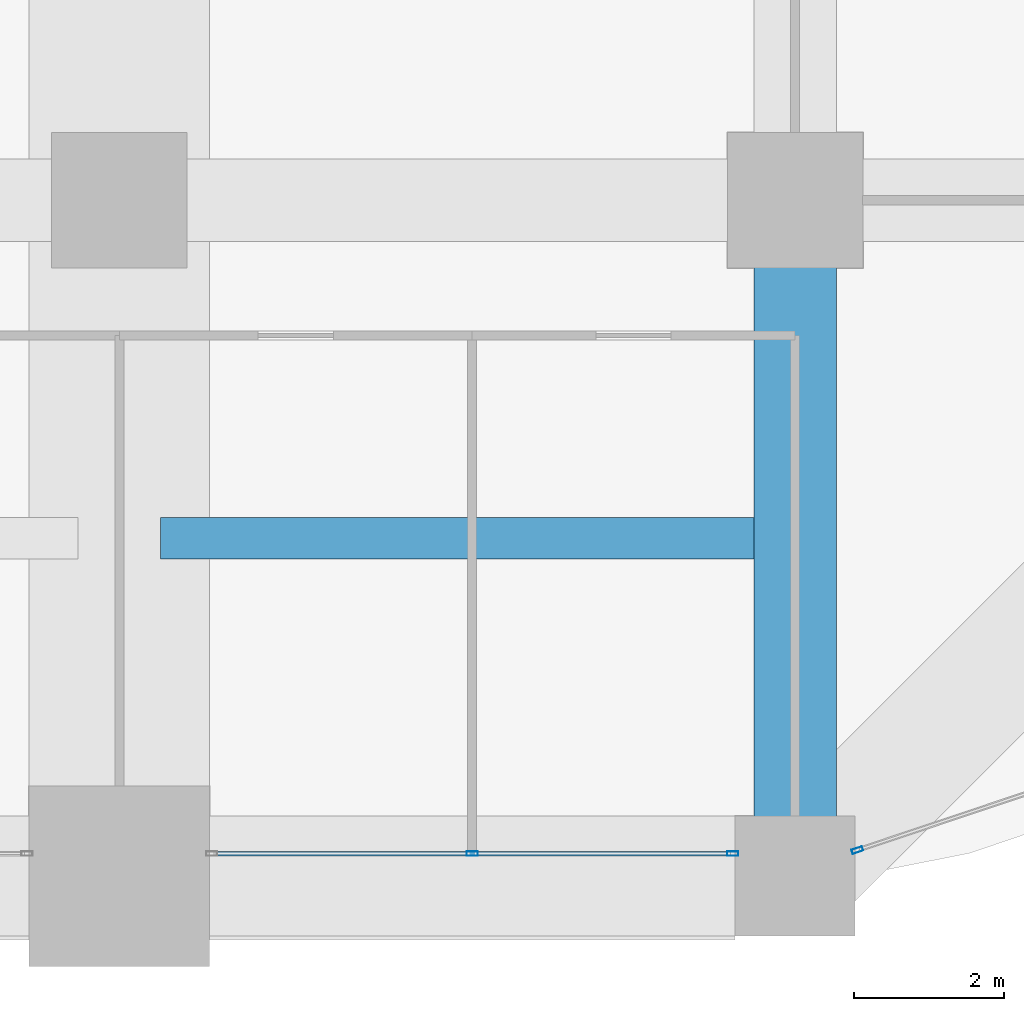
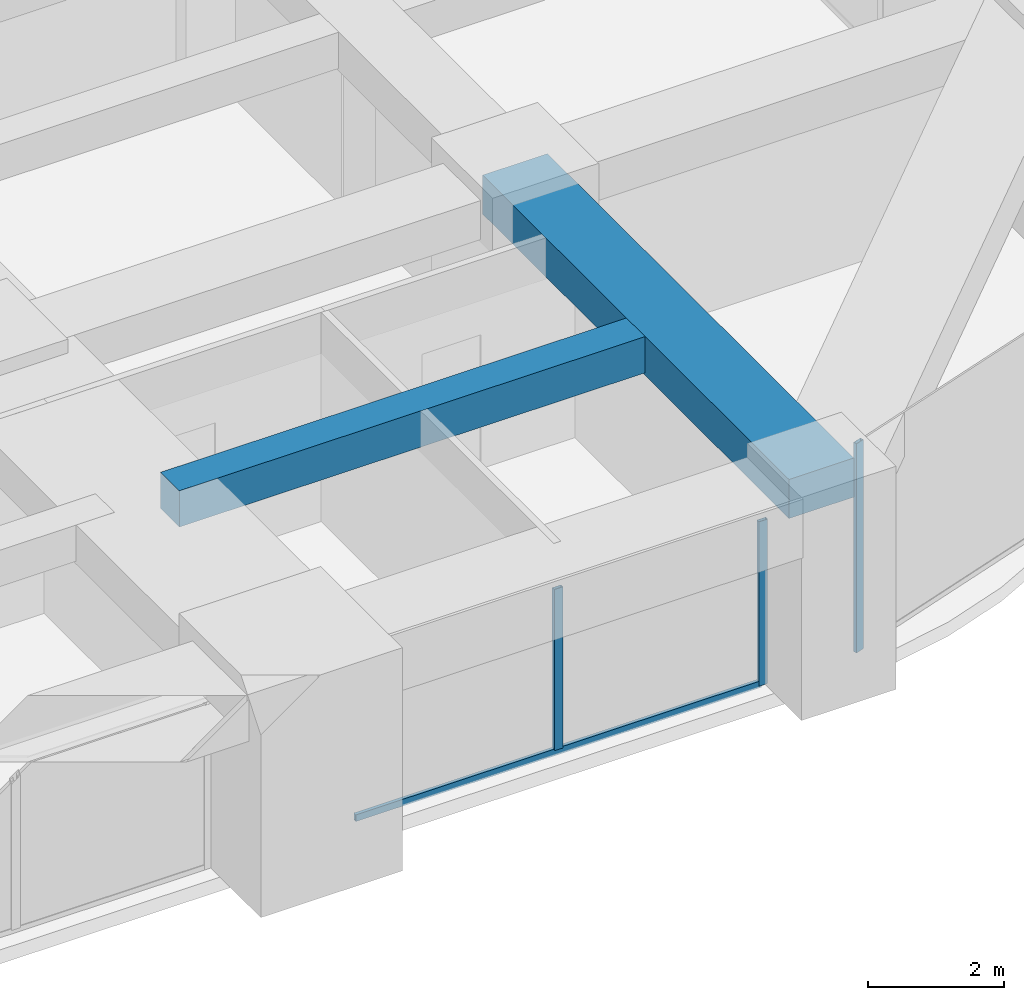
# One storey, part 16 of 43: 4 members, 2 beams, 2 elements without a shape of their own.
"""IFC4 building model written with IfcOpenShell, lengths in metres."""

from ifc_helpers import new_model, si_unit, direction, frame, origin, origin_2d, place, context, subcontext, project, spatial, rectangle, hollow_rectangle, extrude, material, material_profile, profile_set, type_object, element, aggregate, save


model = new_model("IFC4")

# Units and contexts
model_context = context("Model", 3, precision=1e-05, world=origin(), true_north=direction((0.0, 1.0)))
body_context = subcontext(model_context, "Body", "Model", "MODEL_VIEW")
ifc_project = project(units=[si_unit("LENGTHUNIT", "METRE"), si_unit("AREAUNIT", "SQUARE_METRE"), si_unit("VOLUMEUNIT", "CUBIC_METRE"), si_unit("PLANEANGLEUNIT", "RADIAN"), si_unit("MASSUNIT", "GRAM", prefix="KILO")], contexts=[model_context])

# Site, building, storey
site_placement = place(None, origin())
site = spatial("IfcSite", under=ifc_project, at=site_placement, CompositionType="ELEMENT")
building_placement = place(site_placement, origin())
building = spatial("IfcBuilding", under=site, at=building_placement, Name="Zorevar Civic Tower", CompositionType="ELEMENT")
storey_placement = place(building_placement, frame((0.0, 0.0, 141.0)))
storey = spatial("IfcBuildingStorey", under=building, at=storey_placement, Name="L34", CompositionType="ELEMENT", Elevation=141.0)

# Beams
ifc_material_1 = material(Name="Concrete C50/60", Category="concrete")
ifc_material_profile_1 = material_profile(ifc_material_1, rectangle(XDim=1.10009765625, YDim=0.699951171875, at=origin_2d()), Name="RC 1100x700")
ifc_profile_set_1 = profile_set([ifc_material_profile_1], Name="Concrete C50/60")
beam_type_1 = type_object("IfcBeamType", Name="Beam RC 1100x700", PredefinedType="BEAM", material=ifc_profile_set_1)
beam_1_placement = place(storey_placement, frame((54.0, 0.0, 3.39990234375), z_axis=(0.0, 1.0, 0.0), x_axis=(-1.0, 0.0, 0.0)))
element("IfcBeam", 1, at=beam_1_placement, inside=storey, type_object=beam_type_1, Name="Girder L35", PredefinedType="BEAM", context=body_context, shape_type="SweptSolid", body=[
    extrude(rectangle(XDim=1.10009765625, YDim=0.699951171875, at=origin_2d()), origin(), (0.0, 0.0, 1.0), 9.0),
])
ifc_material_2 = material(Name="Concrete C50/60", Category="concrete")
ifc_material_profile_2 = material_profile(ifc_material_2, rectangle(XDim=0.550048828125, YDim=0.64990234375, at=origin_2d()), Name="RC 550x650")
ifc_profile_set_2 = profile_set([ifc_material_profile_2], Name="Concrete C50/60")
beam_type_2 = type_object("IfcBeamType", Name="Beam RC 550x650", PredefinedType="BEAM", material=ifc_profile_set_2)
beam_2_placement = place(storey_placement, frame((45.550048828125, 4.5, 3.425048828125), z_axis=(1.0, 0.0, 0.0), x_axis=(0.0, 1.0, 0.0)))
element("IfcBeam", 2, at=beam_2_placement, inside=storey, type_object=beam_type_2, Name="Secondary beam L35", PredefinedType="BEAM", context=body_context, shape_type="SweptSolid", body=[
    extrude(rectangle(XDim=0.550048828125, YDim=0.64990234375, at=origin_2d()), origin(), (0.0, 0.0, 1.0), 7.89990234375),
])

# Curtain wall, members
ifc_material_3 = material(Name="Dark grey solar-control glass in black aluminium frame", Category="aluminium")
curtain_wall_type = type_object("IfcCurtainWallType", Name="Curtain wall CW3 mid zone", PredefinedType="NOTDEFINED", material=ifc_material_3)
curtain_wall_1_placement = place(storey_placement, origin())
curtain_wall_1 = element("IfcCurtainWall", 3, at=curtain_wall_1_placement, inside=storey, type_object=curtain_wall_type, Name="CW3 L34", PredefinedType="NOTDEFINED")
ifc_material_4 = material(Name="Aluminium, black anodised", Category="aluminium")
ifc_material_profile_3 = material_profile(ifc_material_4, hollow_rectangle(XDim=0.06005859375, YDim=0.14990234375, WallThickness=0.00390625, at=origin_2d()), Name="AL 150x60x4")
ifc_profile_set_3 = profile_set([ifc_material_profile_3], Name="Aluminium, black anodised")
member_type_1 = type_object("IfcMemberType", Name="CW3 mullion AL 150x60x4", PredefinedType="MULLION", material=ifc_profile_set_3)
member_1_placement = place(storey_placement, frame((49.699951171875, 0.300048828125, 0.06005859375), z_axis=(0.0, 0.0, 1.0), x_axis=(0.0, 1.0, 0.0)))
member_1 = element("IfcMember", 4, at=member_1_placement, type_object=member_type_1, Name="CW3 mullion 2", PredefinedType="MULLION", context=body_context, shape_type="SweptSolid", body=[
    extrude(hollow_rectangle(XDim=0.06005859375, YDim=0.14990234375, WallThickness=0.00390625, at=origin_2d()), origin(), (0.0, 0.0, 1.0), 2.889892578125),
])
member_2_placement = place(storey_placement, frame((53.169921875, 0.300048828125, 0.0), z_axis=(0.0, 0.0, 1.0), x_axis=(0.0, 1.0, 0.0)))
member_2 = element("IfcMember", 5, at=member_2_placement, type_object=member_type_1, Name="CW3 mullion 3", PredefinedType="MULLION", context=body_context, shape_type="SweptSolid", body=[
    extrude(hollow_rectangle(XDim=0.06005859375, YDim=0.14990234375, WallThickness=0.00390625, at=origin_2d()), origin(), (0.0, 0.0, 1.0), 2.949951171875),
])

# Curtain wall, member
curtain_wall_2_placement = place(storey_placement, origin())
curtain_wall_2 = element("IfcCurtainWall", 6, at=curtain_wall_2_placement, inside=storey, type_object=curtain_wall_type, Name="CW3 L34", PredefinedType="NOTDEFINED")
member_3_placement = place(storey_placement, frame((54.828369140625, 0.346435546875, 0.0), z_axis=(0.0, 0.0, 1.0), x_axis=(-0.317592669603, 0.948227238701, 0.0)))
member_3 = element("IfcMember", 7, at=member_3_placement, type_object=member_type_1, Name="CW3 mullion 1", PredefinedType="MULLION", context=body_context, shape_type="SweptSolid", body=[
    extrude(hollow_rectangle(XDim=0.06005859375, YDim=0.14990234375, WallThickness=0.00390625, at=origin_2d()), origin(), (0.0, 0.0, 1.0), 3.75),
])
aggregate(curtain_wall_2, [member_3])

# Member
ifc_material_5 = material(Name="Aluminium, black anodised", Category="aluminium")
ifc_material_profile_4 = material_profile(ifc_material_5, hollow_rectangle(XDim=0.06005859375, YDim=0.1201171875, WallThickness=0.0029296875, at=origin_2d()), Name="AL 120x60x3")
ifc_profile_set_4 = profile_set([ifc_material_profile_4], Name="Aluminium, black anodised")
member_type_2 = type_object("IfcMemberType", Name="CW3 transom AL 120x60x3", PredefinedType="USERDEFINED", material=ifc_profile_set_4)
member_4_placement = place(storey_placement, frame((46.260009765625, 0.300048828125, 0.030029296875), z_axis=(1.0, 0.0, 0.0), x_axis=(0.0, 1.0, 0.0)))
member_4 = element("IfcMember", 8, at=member_4_placement, type_object=member_type_2, Name="CW3 sill transom", ObjectType="TRANSOM", PredefinedType="USERDEFINED", context=body_context, shape_type="SweptSolid", body=[
    extrude(hollow_rectangle(XDim=0.06005859375, YDim=0.1201171875, WallThickness=0.0029296875, at=origin_2d()), origin(), (0.0, 0.0, 1.0), 6.8798828125),
])

aggregate(curtain_wall_1, [member_1, member_2, member_4])

save(model, "model.ifc")
